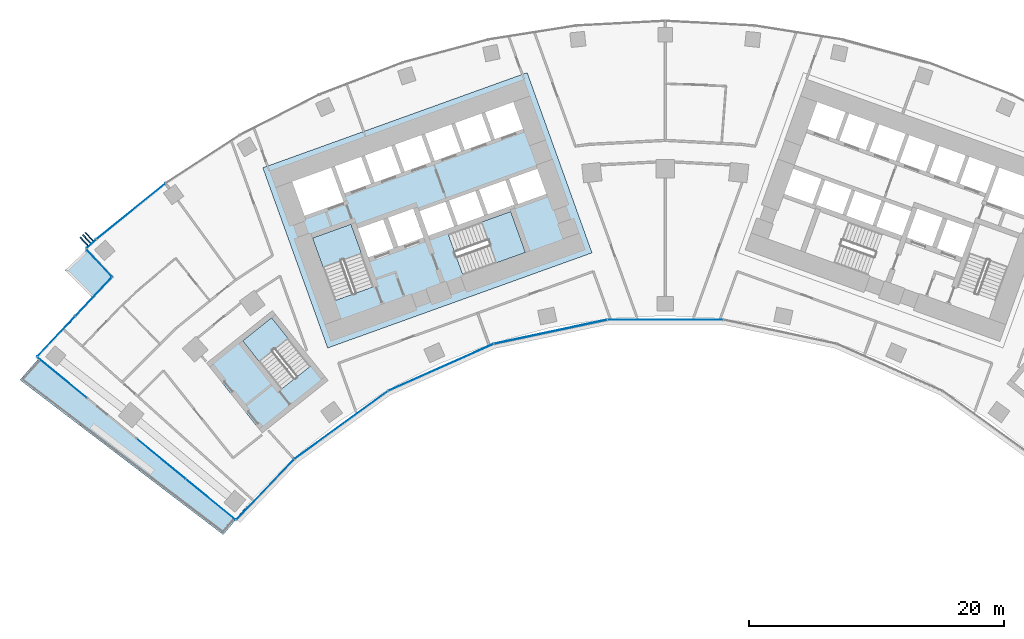
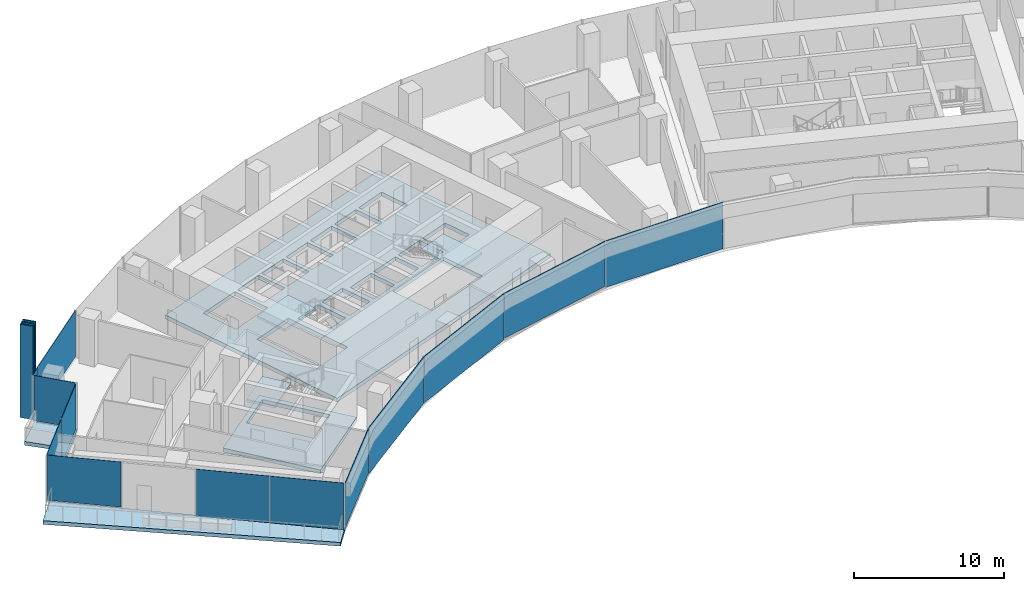
# One storey, part 11 of 20: 16 plates, 7 slabs, 8 elements without a shape of their own.
"""IFC4 building model written with IfcOpenShell, lengths in metres."""

from ifc_helpers import new_model, si_unit, direction, frame, origin, origin_2d, place, context, subcontext, project, spatial, polyline, rectangle, outline, extrude, material, layer, layer_set, type_object, element, aggregate, save


model = new_model("IFC4")

# Units and contexts
model_context = context("Model", 3, precision=1e-05, world=origin(), true_north=direction((0.0, 1.0)))
body_context = subcontext(model_context, "Body", "Model", "MODEL_VIEW")
ifc_project = project(units=[si_unit("LENGTHUNIT", "METRE"), si_unit("AREAUNIT", "SQUARE_METRE"), si_unit("VOLUMEUNIT", "CUBIC_METRE"), si_unit("PLANEANGLEUNIT", "RADIAN"), si_unit("MASSUNIT", "GRAM", prefix="KILO")], contexts=[model_context])

# Site, building, storey
site_placement = place(None, origin())
site = spatial("IfcSite", under=ifc_project, at=site_placement, CompositionType="ELEMENT")
building_placement = place(site_placement, origin())
building = spatial("IfcBuilding", under=site, at=building_placement, Name="Stone Belt Terrace Tower", CompositionType="ELEMENT")
storey_placement = place(building_placement, frame((0.0, 0.0, 102.199951171875)))
storey = spatial("IfcBuildingStorey", under=building, at=storey_placement, Name="L24", CompositionType="ELEMENT", Elevation=102.199951171875)

# Curtain wall, plates
ifc_material_1 = material(Name="Aluminium 6063-T6 anodised frame", Category="aluminium")
ifc_layer_1 = layer(ifc_material_1, 0.14990234375)
ifc_layer_set_1 = layer_set([ifc_layer_1], Name="CW-A unitised convex-face curtain wall")
curtain_wall_type_1 = type_object("IfcCurtainWallType", Name="CW-A unitised convex-face curtain wall", PredefinedType="NOTDEFINED", material=ifc_layer_set_1)
curtain_wall_1_placement = place(storey_placement, origin())
curtain_wall_1 = element("IfcCurtainWall", 1, at=curtain_wall_1_placement, inside=storey, type_object=curtain_wall_type_1, Name="CW-A convex face L24", PredefinedType="NOTDEFINED")
ifc_material_2 = material(Name="Clear double glazed unit")
ifc_layer_2 = layer(ifc_material_2, 0.031982421875)
ifc_layer_set_2 = layer_set([ifc_layer_2], Name="CW-A glass panel 32")
plate_type_1 = type_object("IfcPlateType", Name="CW-A glass panel 32", PredefinedType="CURTAIN_PANEL", material=ifc_layer_set_2)
plate_1_placement = place(storey_placement, frame((-41.839599609375, 51.667724609375, 0.0), z_axis=(0.0, 0.0, 1.0), x_axis=(-0.777145961457, -0.62932039105, 0.0)))
plate_1 = element("IfcPlate", 2, at=plate_1_placement, type_object=plate_type_1, Name="CW-A panel 16.1", PredefinedType="CURTAIN_PANEL", context=body_context, shape_type="SweptSolid", body=[
    extrude(rectangle(XDim=6.900634765625, YDim=0.031982421875, at=origin_2d()), origin(), (0.0, 0.0, 1.0), 3.800048828125),
])
plate_2_placement = place(storey_placement, frame((-44.933837890625, 49.12158203125, 0.0), z_axis=(0.0, 0.0, 1.0), x_axis=(-0.738017867244, -0.674781170179, 0.0)))
plate_2 = element("IfcPlate", 3, at=plate_2_placement, type_object=plate_type_1, Name="CW-A panel 17.1", PredefinedType="CURTAIN_PANEL", context=body_context, shape_type="SweptSolid", body=[
    extrude(rectangle(XDim=0.986083984375, YDim=0.031982421875, at=origin_2d()), origin(), (0.0, 0.0, 1.0), 3.800048828125),
])
aggregate(curtain_wall_1, [plate_1, plate_2])

ifc_layer_3 = layer(ifc_material_1, 0.14990234375)
ifc_layer_set_3 = layer_set([ifc_layer_3], Name="CW-B unitised concave-face curtain wall")
curtain_wall_type_2 = type_object("IfcCurtainWallType", Name="CW-B unitised concave-face curtain wall", PredefinedType="NOTDEFINED", material=ifc_layer_set_3)
curtain_wall_2_placement = place(storey_placement, origin())
curtain_wall_2 = element("IfcCurtainWall", 4, at=curtain_wall_2_placement, inside=storey, type_object=curtain_wall_type_2, Name="CW-B concave face L24", PredefinedType="NOTDEFINED")
ifc_layer_4 = layer(ifc_material_2, 0.030029296875)
ifc_layer_set_4 = layer_set([ifc_layer_4], Name="CW-B glass panel 30")
plate_type_2 = type_object("IfcPlateType", Name="CW-B glass panel 30", PredefinedType="CURTAIN_PANEL", material=ifc_layer_set_4)
plate_3_placement = place(storey_placement, frame((-31.32666015625, 29.89453125, 0.1201171875), z_axis=(0.0, 0.0, 1.0), x_axis=(0.690701733714, 0.723139761764, 0.0)))
plate_3 = element("IfcPlate", 5, at=plate_3_placement, type_object=plate_type_2, Name="CW-B panel 1.1", PredefinedType="CURTAIN_PANEL", context=body_context, shape_type="SweptSolid", body=[
    extrude(rectangle(XDim=6.506591796875, YDim=0.030029296875, at=origin_2d()), origin(), (0.0, 0.0, 1.0), 3.679931640625),
])
plate_4_placement = place(storey_placement, frame((-25.385498046875, 34.938232421875, 0.0), z_axis=(0.0, 0.0, 1.0), x_axis=(0.809016994375, 0.587785252292, 0.0)))
plate_4 = element("IfcPlate", 6, at=plate_4_placement, type_object=plate_type_2, Name="CW-B panel 2.1", PredefinedType="CURTAIN_PANEL", context=body_context, shape_type="SweptSolid", body=[
    extrude(rectangle(XDim=9.014892578125, YDim=0.030029296875, at=origin_2d()), origin(), (0.0, 0.0, 1.0), 3.800048828125),
])
plate_5_placement = place(storey_placement, frame((-17.565673828125, 39.453125, 0.0), z_axis=(0.0, 0.0, 1.0), x_axis=(0.913545457643, 0.406736643076, 0.0)))
plate_5 = element("IfcPlate", 7, at=plate_5_placement, type_object=plate_type_2, Name="CW-B panel 3.1", PredefinedType="CURTAIN_PANEL", context=body_context, shape_type="SweptSolid", body=[
    extrude(rectangle(XDim=9.0126953125, YDim=0.030029296875, at=origin_2d()), origin(), (0.0, 0.0, 1.0), 3.800048828125),
])
plate_6_placement = place(storey_placement, frame((-8.97900390625, 42.242919921875, 0.1201171875), z_axis=(0.0, 0.0, 1.0), x_axis=(0.978147600734, 0.207911690818, 0.0)))
plate_6 = element("IfcPlate", 8, at=plate_6_placement, type_object=plate_type_2, Name="CW-B panel 4.1", PredefinedType="CURTAIN_PANEL", context=body_context, shape_type="SweptSolid", body=[
    extrude(rectangle(XDim=9.0126953125, YDim=0.030029296875, at=origin_2d()), origin(), (0.0, 0.0, 1.0), 3.679931640625),
])
plate_7_placement = place(storey_placement, frame((0.0, 43.186767578125, 0.0), z_axis=(0.0, 0.0, 1.0), x_axis=(1.0, 0.0, 0.0)))
plate_7 = element("IfcPlate", 9, at=plate_7_placement, type_object=plate_type_2, Name="CW-B panel 5.1", PredefinedType="CURTAIN_PANEL", context=body_context, shape_type="SweptSolid", body=[
    extrude(rectangle(XDim=9.0126953125, YDim=0.030029296875, at=origin_2d()), origin(), (0.0, 0.0, 1.0), 3.800048828125),
])
aggregate(curtain_wall_2, [plate_3, plate_4, plate_5, plate_6, plate_7])

# Curtain wall, plate
ifc_layer_5 = layer(ifc_material_1, 0.14990234375)
ifc_layer_set_5 = layer_set([ifc_layer_5], Name="CW-C stick curtain wall, horn ends and notches")
curtain_wall_type_3 = type_object("IfcCurtainWallType", Name="CW-C stick curtain wall, horn ends and notches", PredefinedType="NOTDEFINED", material=ifc_layer_set_5)
curtain_wall_3_placement = place(storey_placement, origin())
curtain_wall_3 = element("IfcCurtainWall", 10, at=curtain_wall_3_placement, inside=storey, type_object=curtain_wall_type_3, Name="CW-C notch face L24", PredefinedType="NOTDEFINED")
ifc_layer_6 = layer(ifc_material_2, 0.028076171875)
ifc_layer_set_6 = layer_set([ifc_layer_6], Name="CW-C glass panel 28")
plate_type_3 = type_object("IfcPlateType", Name="CW-C glass panel 28", PredefinedType="CURTAIN_PANEL", material=ifc_layer_set_6)
plate_8_placement = place(storey_placement, frame((-44.32958984375, 47.636962890625, 0.1201171875), z_axis=(0.0, 0.0, 1.0), x_axis=(0.680392451903, -0.732847945616, 0.0)))
plate_8 = element("IfcPlate", 11, at=plate_8_placement, type_object=plate_type_3, Name="CW-C panel 1.1", PredefinedType="CURTAIN_PANEL", context=body_context, shape_type="SweptSolid", body=[
    extrude(rectangle(XDim=2.85791015625, YDim=0.028076171875, at=origin_2d()), origin(), (0.0, 0.0, 1.0), 3.679931640625),
])
aggregate(curtain_wall_3, [plate_8])

# Curtain wall, plates
curtain_wall_4_placement = place(storey_placement, origin())
curtain_wall_4 = element("IfcCurtainWall", 12, at=curtain_wall_4_placement, inside=storey, type_object=curtain_wall_type_3, Name="CW-C notch face L24", PredefinedType="NOTDEFINED")
plate_9_placement = place(storey_placement, frame((-44.769287109375, 44.982177734375, 0.1201171875), z_axis=(0.0, 0.0, 1.0), x_axis=(-0.685164223338, -0.728388623646, 0.0)))
plate_9 = element("IfcPlate", 13, at=plate_9_placement, type_object=plate_type_3, Name="CW-C panel 1.1", PredefinedType="CURTAIN_PANEL", context=body_context, shape_type="SweptSolid", body=[
    extrude(rectangle(XDim=4.12060546875, YDim=0.028076171875, at=origin_2d()), origin(), (0.0, 0.0, 1.0), 3.679931640625),
])
plate_10_placement = place(storey_placement, frame((-47.684326171875, 41.88330078125, 0.0), z_axis=(0.0, 0.0, 1.0), x_axis=(-0.685164223338, -0.728388623646, 0.0)))
plate_10 = element("IfcPlate", 14, at=plate_10_placement, type_object=plate_type_3, Name="CW-C panel 2.1", PredefinedType="CURTAIN_PANEL", context=body_context, shape_type="SweptSolid", body=[
    extrude(rectangle(XDim=4.268798828125, YDim=0.028076171875, at=origin_2d()), origin(), (0.0, 0.0, 1.0), 3.800048828125),
])
aggregate(curtain_wall_4, [plate_9, plate_10])

curtain_wall_5_placement = place(storey_placement, origin())
curtain_wall_5 = element("IfcCurtainWall", 15, at=curtain_wall_5_placement, inside=storey, type_object=curtain_wall_type_3, Name="CW-C end face L24", PredefinedType="NOTDEFINED")
plate_11_placement = place(storey_placement, frame((-47.21728515625, 38.648193359375, 0.1201171875), z_axis=(0.0, 0.0, 1.0), x_axis=(0.77305069126, -0.634344250973, 0.0)))
plate_11 = element("IfcPlate", 16, at=plate_11_placement, type_object=plate_type_3, Name="CW-C panel 1.1", PredefinedType="CURTAIN_PANEL", context=body_context, shape_type="SweptSolid", body=[
    extrude(rectangle(XDim=4.974853515625, YDim=0.028076171875, at=origin_2d()), origin(), (0.0, 0.0, 1.0), 3.679931640625),
])
plate_12_placement = place(storey_placement, frame((-39.47314453125, 32.29345703125, 0.0), z_axis=(0.0, 0.0, 1.0), x_axis=(0.77305069126, -0.634344250973, 0.0)))
plate_12 = element("IfcPlate", 17, at=plate_12_placement, type_object=plate_type_3, Name="CW-C panel 3.1", PredefinedType="CURTAIN_PANEL", context=body_context, shape_type="SweptSolid", body=[
    extrude(rectangle(XDim=4.93994140625, YDim=0.028076171875, at=origin_2d()), origin(), (0.0, 0.0, 1.0), 3.800048828125),
])
plate_13_placement = place(storey_placement, frame((-35.59765625, 29.113525390625, 0.0), z_axis=(0.0, 0.0, 1.0), x_axis=(0.77305069126, -0.634344250973, 0.0)))
plate_13 = element("IfcPlate", 18, at=plate_13_placement, type_object=plate_type_3, Name="CW-C panel 4.1", PredefinedType="CURTAIN_PANEL", context=body_context, shape_type="SweptSolid", body=[
    extrude(rectangle(XDim=4.966552734375, YDim=0.028076171875, at=origin_2d()), origin(), (0.0, 0.0, 1.0), 3.800048828125),
])
aggregate(curtain_wall_5, [plate_11, plate_12, plate_13])

# Slabs
ifc_material_3 = material(Name="Concrete B40", Category="concrete")
ifc_layer_7 = layer(ifc_material_3, 0.320068359375)
ifc_layer_set_7 = layer_set([ifc_layer_7], Name="Core floor slab 320")
slab_type_1 = type_object("IfcSlabType", Name="Core floor slab 320", PredefinedType="FLOOR", material=ifc_layer_set_7)
slab_1_placement = place(storey_placement, frame((0.0, 0.0, -0.320068359375)))
element("IfcSlab", 19, at=slab_1_placement, inside=storey, type_object=slab_type_1, Name="Core A floor L24", PredefinedType="FLOOR", context=body_context, shape_type="SweptSolid", body=[
    extrude(outline(polyline([(-26.43505859375, 40.968994140625), (-5.735107421875, 48.4189453125), (-10.81396484375, 62.531982421875), (-31.513916015625, 55.0830078125), (-26.43505859375, 40.968994140625)]), holes=[polyline([(-24.60791015625, 50.659912109375), (-22.847900390625, 45.76806640625), (-25.85888671875, 44.68408203125), (-27.618896484375, 49.575927734375), (-24.60791015625, 50.659912109375)]), polyline([(-21.27392578125, 48.778076171875), (-23.25, 48.06689453125), (-24.06298828125, 50.324951171875), (-22.0869140625, 51.035888671875), (-21.27392578125, 48.778076171875)]), polyline([(-18.922119140625, 49.6240234375), (-20.89794921875, 48.9130859375), (-21.7109375, 51.1708984375), (-19.735107421875, 51.883056640625), (-18.922119140625, 49.6240234375)]), polyline([(-19.239990234375, 51.68896484375), (-17.217041015625, 52.4169921875), (-16.52294921875, 50.488037109375), (-18.5458984375, 49.760009765625), (-19.239990234375, 51.68896484375)]), polyline([(-29.2109375, 53.9990234375), (-26.153076171875, 55.09912109375), (-25.18798828125, 52.41796875), (-28.24609375, 51.31689453125), (-29.2109375, 53.9990234375)]), polyline([(-23.801025390625, 55.946044921875), (-23.0390625, 53.8291015625), (-25.10888671875, 53.083984375), (-25.87109375, 55.200927734375), (-23.801025390625, 55.946044921875)]), polyline([(-21.447998046875, 56.7919921875), (-20.68603515625, 54.675048828125), (-22.756103515625, 53.929931640625), (-23.51806640625, 56.047119140625), (-21.447998046875, 56.7919921875)]), polyline([(-19.095947265625, 57.638916015625), (-18.333984375, 55.52197265625), (-20.404052734375, 54.777099609375), (-21.166015625, 56.89404296875), (-19.095947265625, 57.638916015625)]), polyline([(-15.846923828125, 46.69189453125), (-16.998046875, 49.89208984375), (-12.10595703125, 51.652099609375), (-10.955078125, 48.452880859375), (-15.846923828125, 46.69189453125)]), polyline([(-16.239990234375, 50.589111328125), (-16.93408203125, 52.51806640625), (-14.864013671875, 53.262939453125), (-14.169921875, 51.333984375), (-16.239990234375, 50.589111328125)]), polyline([(-11.801025390625, 52.134033203125), (-11.847900390625, 52.116943359375), (-11.864990234375, 52.1640625), (-13.887939453125, 51.43603515625), (-14.58203125, 53.364990234375), (-12.511962890625, 54.110107421875), (-11.801025390625, 52.134033203125)]), polyline([(-9.30810546875, 53.031005859375), (-11.51904296875, 52.235107421875), (-12.22998046875, 54.2109375), (-10.01904296875, 55.007080078125), (-9.30810546875, 53.031005859375)]), polyline([(-16.743896484375, 58.485107421875), (-15.98193359375, 56.367919921875), (-18.052001953125, 55.623046875), (-18.81396484375, 57.739990234375), (-16.743896484375, 58.485107421875)]), polyline([(-14.39111328125, 59.33203125), (-13.6298828125, 57.215087890625), (-15.699951171875, 56.469970703125), (-16.4609375, 58.5869140625), (-14.39111328125, 59.33203125)]), polyline([(-11.89794921875, 60.22900390625), (-11.135986328125, 58.112060546875), (-13.346923828125, 57.31591796875), (-14.10888671875, 59.43408203125), (-11.89794921875, 60.22900390625)])]), origin(), (0.0, 0.0, 1.0), 0.320068359375),
])
slab_2_placement = place(storey_placement, frame((0.0, 0.0, -0.320068359375)))
element("IfcSlab", 20, at=slab_2_placement, inside=storey, type_object=slab_type_1, Name="Exit stair ST3A floor L24", PredefinedType="FLOOR", context=body_context, shape_type="SweptSolid", body=[
    extrude(outline(polyline([(-26.39404296875, 38.425048828125), (-30.756103515625, 43.89990234375), (-35.91796875, 39.787109375), (-31.555908203125, 34.31298828125), (-26.39404296875, 38.425048828125)]), holes=[polyline([(-27.798095703125, 39.544921875), (-30.06591796875, 37.738037109375), (-33.087890625, 41.531005859375), (-30.820068359375, 43.337890625), (-27.798095703125, 39.544921875)])]), origin(), (0.0, 0.0, 1.0), 0.320068359375),
])

# Stair, slab
stair_type = type_object("IfcStairType", Name="Exit stair 1500", PredefinedType="HALF_TURN_STAIR", material=ifc_material_3)
stair_1_placement = place(storey_placement, origin())
stair_1 = element("IfcStair", 21, at=stair_1_placement, inside=storey, type_object=stair_type, Name="L24 Exit stair 1 core A", PredefinedType="HALF_TURN_STAIR")
ifc_layer_8 = layer(ifc_material_3, 0.199951171875)
ifc_layer_set_8 = layer_set([ifc_layer_8], Name="Stair landing 200")
slab_type_2 = type_object("IfcSlabType", Name="Stair landing 200", PredefinedType="LANDING", material=ifc_layer_set_8)
slab_3_placement = place(storey_placement, frame((0.0, 0.0, 1.699951171875)))
slab_3 = element("IfcSlab", 22, at=slab_3_placement, type_object=slab_type_2, Name="ST1A landing 1", PredefinedType="LANDING", context=body_context, shape_type="SweptSolid", body=[
    extrude(outline(polyline([(-23.79541015625, 48.40087890625), (-24.6083984375, 50.659912109375), (-27.619384765625, 49.576171875), (-26.806396484375, 47.3173828125), (-23.79541015625, 48.40087890625)])), origin(), (0.0, 0.0, 1.0), 0.2001953125),
])
aggregate(stair_1, [slab_3])

stair_2_placement = place(storey_placement, origin())
stair_2 = element("IfcStair", 23, at=stair_2_placement, inside=storey, type_object=stair_type, Name="L24 Exit stair 2 core A", PredefinedType="HALF_TURN_STAIR")
slab_4_placement = place(storey_placement, frame((0.0, 0.0, 1.699951171875)))
slab_4 = element("IfcSlab", 24, at=slab_4_placement, type_object=slab_type_2, Name="ST2A landing 1", PredefinedType="LANDING", context=body_context, shape_type="SweptSolid", body=[
    extrude(outline(polyline([(-13.213623046875, 47.64013671875), (-10.95458984375, 48.453125), (-12.10595703125, 51.652099609375), (-14.36474609375, 50.839111328125), (-13.213623046875, 47.64013671875)])), origin(), (0.0, 0.0, 1.0), 0.2001953125),
])
aggregate(stair_2, [slab_4])

stair_3_placement = place(storey_placement, origin())
stair_3 = element("IfcStair", 25, at=stair_3_placement, inside=storey, type_object=stair_type, Name="L24 Exit stair 3A", PredefinedType="HALF_TURN_STAIR")
slab_5_placement = place(storey_placement, frame((0.0, 0.0, 1.699951171875)))
slab_5 = element("IfcSlab", 26, at=slab_5_placement, type_object=slab_type_2, Name="ST3A landing 1", PredefinedType="LANDING", context=body_context, shape_type="SweptSolid", body=[
    extrude(outline(polyline([(-29.541748046875, 41.73388671875), (-30.819580078125, 43.337890625), (-33.087646484375, 41.53076171875), (-31.809814453125, 39.9267578125), (-29.541748046875, 41.73388671875)])), origin(), (0.0, 0.0, 1.0), 0.2001953125),
])
aggregate(stair_3, [slab_5])

# Slabs
ifc_layer_9 = layer(ifc_material_3, 0.300048828125)
ifc_layer_set_9 = layer_set([ifc_layer_9], Name="Terrace slab 300 B40")
slab_type_3 = type_object("IfcSlabType", Name="Terrace slab 300 B40", PredefinedType="FLOOR", material=ifc_layer_set_9)
slab_6_placement = place(storey_placement, frame((0.0, 0.0, -0.300048828125)))
element("IfcSlab", 27, at=slab_6_placement, inside=storey, type_object=slab_type_3, Name="Terrace slab L24-stack_terrace-1", PredefinedType="FLOOR", context=body_context, shape_type="SweptSolid", body=[
    extrude(outline(polyline([(-50.520751953125, 38.469482421875), (-34.608642578125, 26.353271484375), (-32.460693359375, 28.945556640625), (-32.463623046875, 28.947998046875), (-33.627685546875, 27.593994140625), (-49.00048828125, 40.20849609375), (-50.520751953125, 38.469482421875)])), origin(), (0.0, 0.0, 1.0), 0.300048828125),
])
slab_7_placement = place(storey_placement, frame((0.0, 0.0, -0.300048828125)))
element("IfcSlab", 28, at=slab_7_placement, inside=storey, type_object=slab_type_3, Name="Terrace slab L24-notch_roof-2", PredefinedType="FLOOR", context=body_context, shape_type="SweptSolid", body=[
    extrude(outline(polyline([(-46.988037109375, 47.05712890625), (-44.8681640625, 44.934326171875), (-46.870361328125, 42.64453125), (-46.86767578125, 42.64208984375), (-43.204833984375, 46.535888671875), (-45.2333984375, 48.720947265625), (-46.988037109375, 47.05712890625)])), origin(), (0.0, 0.0, 1.0), 0.300048828125),
])

# Plates
ifc_material_4 = material(Name="Terracotta coloured glazed ceramic", Category="masonry")
ifc_layer_10 = layer(ifc_material_4, 0.10009765625)
ifc_layer_set_10 = layer_set([ifc_layer_10], Name="Terracotta fin 100 x 900")
plate_type_4 = type_object("IfcPlateType", Name="Terracotta fin 100 x 900", PredefinedType="SHEET", material=ifc_layer_set_10)
for number, where, z_axis, x_axis, name in (
    (29, (-45.10205078125, 49.67919921875, 0.0), (0.0, 0.0, 1.0), (-0.674781170179, 0.738017867244, 0.0), "FIN L24 17.2"),
    (30, (-45.303466796875, 49.494873046875, 0.0), (0.0, 0.0, 1.0), (-0.674781170179, 0.738017867244, 0.0), "FIN L24 17.3"),
    (31, (-45.505126953125, 49.310546875, 0.0), (0.0, 0.0, 1.0), (-0.674781170179, 0.738017867244, 0.0), "FIN L24 17.4"),
):
    element("IfcPlate", number, at=place(storey_placement, frame(where, z_axis=z_axis, x_axis=x_axis)), inside=storey, type_object=plate_type_4, Name=name, PredefinedType="SHEET", context=body_context, shape_type="SweptSolid", body=[
        extrude(rectangle(XDim=0.89990234375, YDim=0.10009765625, at=origin_2d()), origin(), (0.0, 0.0, 1.0), 7.60009765625),
    ])

save(model, "model.ifc")
